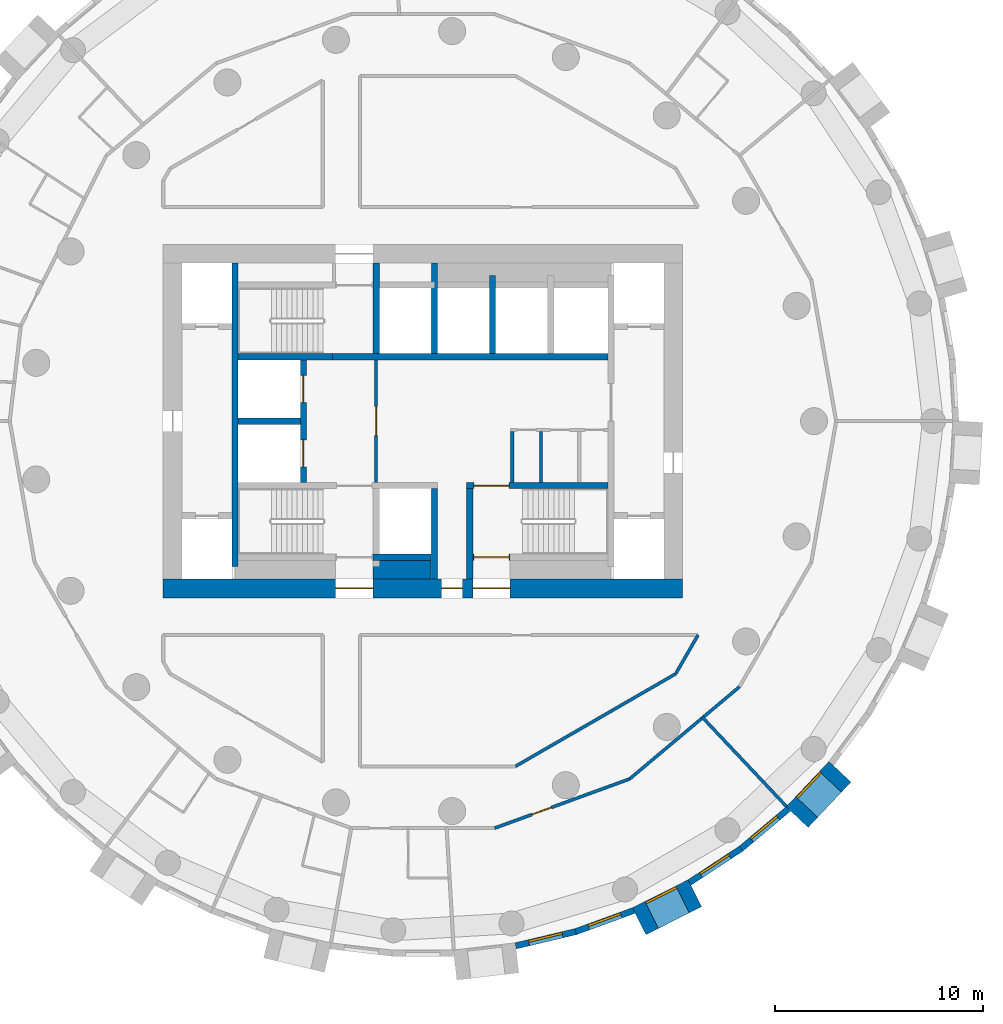
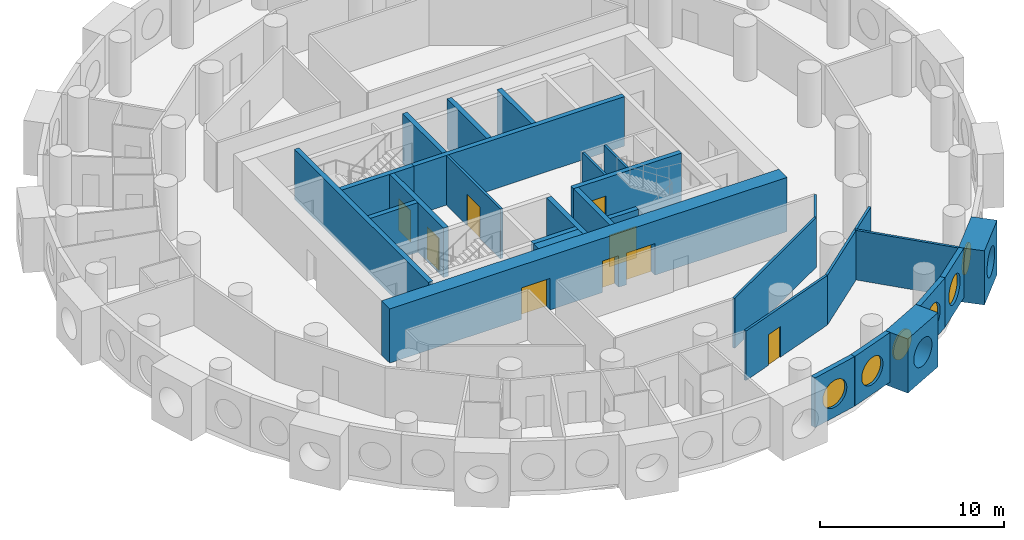
# One storey, part 4 of 9: 29 walls, 9 doors, 6 windows, 15 openings.
"""IFC4 building model written with IfcOpenShell, lengths in metres."""

from ifc_helpers import new_model, si_unit, direction, frame, frame_2d, origin, origin_2d, place, context, subcontext, project, spatial, rectangle, circle, extrude, material, layer, layer_set, type_object, element, fill, save


model = new_model("IFC4")

# Units and contexts
model_context = context("Model", 3, precision=1e-05, world=origin(), true_north=direction((0.0, 1.0)))
body_context = subcontext(model_context, "Body", "Model", "MODEL_VIEW")
ifc_project = project(units=[si_unit("LENGTHUNIT", "METRE"), si_unit("AREAUNIT", "SQUARE_METRE"), si_unit("VOLUMEUNIT", "CUBIC_METRE"), si_unit("PLANEANGLEUNIT", "RADIAN"), si_unit("MASSUNIT", "GRAM", prefix="KILO")], contexts=[model_context])

# Site, building, storey
site_placement = place(None, origin())
site = spatial("IfcSite", under=ifc_project, at=site_placement, CompositionType="ELEMENT")
building_placement = place(site_placement, origin())
building = spatial("IfcBuilding", under=site, at=building_placement, Name="Tracery Tower", CompositionType="ELEMENT")
storey_placement = place(building_placement, frame((0.0, 0.0, 183.60009765625)))
storey = spatial("IfcBuildingStorey", under=building, at=storey_placement, Name="L47", CompositionType="ELEMENT", Elevation=183.60009765625)

# Wall, opening, door
ifc_material_1 = material(Name="Plasterboard on steel studs", Category="steel")
ifc_layer_1 = layer(ifc_material_1, 0.14990234375)
ifc_layer_set_1 = layer_set([ifc_layer_1], Name="Core lobby partition 150")
wall_type_1 = type_object("IfcWallType", Name="Core lobby partition 150", PredefinedType="SOLIDWALL", material=ifc_layer_set_1)
wall_1_placement = place(storey_placement, frame((-2.25, -2.949951171875, 0.0), z_axis=(0.0, 0.0, 1.0), x_axis=(0.0, 1.0, 0.0)))
wall_1 = element("IfcWall", 1, at=wall_1_placement, inside=storey, type_object=wall_type_1, Name="L47 FF lobby E", PredefinedType="SOLIDWALL", context=body_context, shape_type="SweptSolid", body=[
    extrude(rectangle(XDim=5.89990234375, YDim=0.14990234375, at=frame_2d((2.949951171875, 0.0))), origin(), (0.0, 0.0, 1.0), 3.2998046875),
])
opening_1_placement = place(wall_1_placement, frame((2.25, 0.0, 0.0)))
opening_1 = element("IfcOpeningElement", 2, at=opening_1_placement, cuts=wall_1, Name="Opening KD8", PredefinedType="OPENING", context=body_context, shape_type="SweptSolid", body=[
    extrude(rectangle(XDim=1.39990234375, YDim=2.10009765625, at=frame_2d((0.699951171875, 1.050048828125))), frame((0.0, 0.074951171875, 0.0), z_axis=(0.0, -1.0, 0.0), x_axis=(1.0, 0.0, 0.0)), (0.0, 0.0, 1.0), 0.14990234375),
])
ifc_material_2 = material(Name="Steel fire door", Category="steel")
door_type_1 = type_object("IfcDoorType", Name="Core lobby door 1400 double", OperationType="NOTDEFINED", PredefinedType="DOOR", material=ifc_material_2)
door_1_placement = place(opening_1_placement, origin())
door_1 = element("IfcDoor", 3, at=door_1_placement, inside=storey, type_object=door_type_1, Name="Fire-fighting lobby door", OperationType="DOUBLE_DOOR_SINGLE_SWING", OverallHeight=2.10009765625, OverallWidth=1.39990234375, PredefinedType="DOOR", context=body_context, shape_type="SweptSolid", body=[
    extrude(rectangle(XDim=1.39990234375, YDim=2.10009765625, at=frame_2d((0.699951171875, 1.050048828125))), frame((0.0, 0.02490234375, 0.0), z_axis=(0.0, -1.0, 0.0), x_axis=(1.0, 0.0, 0.0)), (0.0, 0.0, 1.0), 0.050048828125),
])
fill(opening_1, door_1)

# Walls
ifc_material_3 = material(Name="Plasterboard on steel studs", Category="steel")
ifc_layer_2 = layer(ifc_material_3, 0.14990234375)
ifc_layer_set_2 = layer_set([ifc_layer_2], Name="Core room partition 150")
wall_type_2 = type_object("IfcWallType", Name="Core room partition 150", PredefinedType="SOLIDWALL", material=ifc_layer_set_2)
for number, where, z_axis, x_axis, name in (
    (4, (4.300048828125, -2.949951171875, 0.0), (0.0, 0.0, 1.0), (0.0, 1.0, 0.0), "L47 slot W"),
    (5, (5.675048828125, -2.949951171875, 0.0), (0.0, 0.0, 1.0), (0.0, 1.0, 0.0), "L47 slot sep 1"),
):
    element("IfcWall", number, at=place(storey_placement, frame(where, z_axis=z_axis, x_axis=x_axis)), inside=storey, type_object=wall_type_2, Name=name, PredefinedType="SOLIDWALL", context=body_context, shape_type="SweptSolid", body=[
        extrude(rectangle(XDim=2.449951171875, YDim=0.14990234375, at=frame_2d((1.22509765625, 0.0))), origin(), (0.0, 0.0, 1.0), 3.2998046875),
    ])
ifc_material_4 = material(Name="Concrete C50/60", Category="concrete")
ifc_layer_3 = layer(ifc_material_4, 0.89990234375)
ifc_layer_set_3 = layer_set([ifc_layer_3], Name="Core strip wall 900 C50")
wall_type_3 = type_object("IfcWallType", Name="Core strip wall 900 C50", PredefinedType="SOLIDWALL", material=ifc_layer_set_3)
wall_2_placement = place(storey_placement, frame((-2.39990234375, -7.14990234375, 0.0), z_axis=(0.0, 0.0, 1.0), x_axis=(1.0, 0.0, 0.0)))
element("IfcWall", 6, at=wall_2_placement, inside=storey, type_object=wall_type_3, Name="L47 F thick S mid", PredefinedType="SOLIDWALL", context=body_context, shape_type="SweptSolid", body=[
    extrude(rectangle(XDim=2.7998046875, YDim=0.89990234375, at=frame_2d((1.39990234375, 0.0))), origin(), (0.0, 0.0, 1.0), 3.2998046875),
])

# Wall, openings, doors
ifc_material_5 = material(Name="Concrete C50/60", Category="concrete")
ifc_layer_4 = layer(ifc_material_5, 0.89990234375)
ifc_layer_set_4 = layer_set([ifc_layer_4], Name="Core wall 900 C50")
wall_type_4 = type_object("IfcWallType", Name="Core wall 900 C50", PredefinedType="SOLIDWALL", material=ifc_layer_set_4)
wall_3_placement = place(storey_placement, frame((-12.5, -8.050048828125, 0.0), z_axis=(0.0, 0.0, 1.0), x_axis=(1.0, 0.0, 0.0)))
wall_3 = element("IfcWall", 7, at=wall_3_placement, inside=storey, type_object=wall_type_4, Name="L47 outer S", PredefinedType="SOLIDWALL", context=body_context, shape_type="SweptSolid", body=[
    extrude(rectangle(XDim=25.0, YDim=0.89990234375, at=frame_2d((12.5, 0.0))), origin(), (0.0, 0.0, 1.0), 3.599853515625),
])
opening_2_placement = place(wall_3_placement, frame((13.39990234375, 0.0, 0.0)))
opening_2 = element("IfcOpeningElement", 8, at=opening_2_placement, cuts=wall_3, Name="Opening KD16", PredefinedType="OPENING", context=body_context, shape_type="SweptSolid", body=[
    extrude(rectangle(XDim=1.0, YDim=2.10009765625, at=frame_2d((0.5, 1.050048828125))), frame((0.0, 0.449951171875, 0.0), z_axis=(0.0, -1.0, 0.0), x_axis=(1.0, 0.0, 0.0)), (0.0, 0.0, 1.0), 0.89990234375),
])
opening_3_placement = place(wall_3_placement, frame((8.300048828125, 0.0, 0.0)))
opening_3 = element("IfcOpeningElement", 9, at=opening_3_placement, cuts=wall_3, Name="Opening KD13", PredefinedType="OPENING", context=body_context, shape_type="SweptSolid", body=[
    extrude(rectangle(XDim=1.800048828125, YDim=2.10009765625, at=frame_2d((0.89990234375, 1.050048828125))), frame((0.0, 0.449951171875, 0.0), z_axis=(0.0, -1.0, 0.0), x_axis=(1.0, 0.0, 0.0)), (0.0, 0.0, 1.0), 0.89990234375),
])
opening_4_placement = place(wall_3_placement, frame((14.89990234375, 0.0, 0.0)))
opening_4 = element("IfcOpeningElement", 10, at=opening_4_placement, cuts=wall_3, Name="Opening KD13", PredefinedType="OPENING", context=body_context, shape_type="SweptSolid", body=[
    extrude(rectangle(XDim=1.800048828125, YDim=2.10009765625, at=frame_2d((0.89990234375, 1.050048828125))), frame((0.0, 0.449951171875, 0.0), z_axis=(0.0, -1.0, 0.0), x_axis=(1.0, 0.0, 0.0)), (0.0, 0.0, 1.0), 0.89990234375),
])
ifc_material_6 = material(Name="Steel fire door", Category="steel")
door_type_2 = type_object("IfcDoorType", Name="Core exit door 1000", OperationType="NOTDEFINED", PredefinedType="DOOR", material=ifc_material_6)
door_2_placement = place(opening_2_placement, origin())
door_2 = element("IfcDoor", 11, at=door_2_placement, inside=storey, type_object=door_type_2, Name="Core exit door", OperationType="SINGLE_SWING_LEFT", OverallHeight=2.10009765625, OverallWidth=1.0, PredefinedType="DOOR", context=body_context, shape_type="SweptSolid", body=[
    extrude(rectangle(XDim=1.0, YDim=2.10009765625, at=frame_2d((0.5, 1.050048828125))), frame((0.0, 0.02490234375, 0.0), z_axis=(0.0, -1.0, 0.0), x_axis=(1.0, 0.0, 0.0)), (0.0, 0.0, 1.0), 0.050048828125),
])
fill(opening_2, door_2)
ifc_material_7 = material(Name="Steel fire door", Category="steel")
door_type_3 = type_object("IfcDoorType", Name="Core exit door 1800 double", OperationType="NOTDEFINED", PredefinedType="DOOR", material=ifc_material_7)
door_3_placement = place(opening_3_placement, origin())
door_3 = element("IfcDoor", 12, at=door_3_placement, inside=storey, type_object=door_type_3, Name="Core exit door", OperationType="DOUBLE_DOOR_SINGLE_SWING", OverallHeight=2.10009765625, OverallWidth=1.800048828125, PredefinedType="DOOR", context=body_context, shape_type="SweptSolid", body=[
    extrude(rectangle(XDim=1.800048828125, YDim=2.10009765625, at=frame_2d((0.89990234375, 1.050048828125))), frame((0.0, 0.02490234375, 0.0), z_axis=(0.0, -1.0, 0.0), x_axis=(1.0, 0.0, 0.0)), (0.0, 0.0, 1.0), 0.050048828125),
])
fill(opening_3, door_3)
door_4_placement = place(opening_4_placement, origin())
door_4 = element("IfcDoor", 13, at=door_4_placement, inside=storey, type_object=door_type_3, Name="Core exit door", OperationType="DOUBLE_DOOR_SINGLE_SWING", OverallHeight=2.10009765625, OverallWidth=1.800048828125, PredefinedType="DOOR", context=body_context, shape_type="SweptSolid", body=[
    extrude(rectangle(XDim=1.800048828125, YDim=2.10009765625, at=frame_2d((0.89990234375, 1.050048828125))), frame((0.0, 0.02490234375, 0.0), z_axis=(0.0, -1.0, 0.0), x_axis=(1.0, 0.0, 0.0)), (0.0, 0.0, 1.0), 0.050048828125),
])
fill(opening_4, door_4)

# Wall, opening, window
ifc_material_8 = material(Name="Precast concrete C50/60", Category="concrete")
ifc_layer_5 = layer(ifc_material_8, 1.449951171875)
ifc_layer_set_5 = layer_set([ifc_layer_5], Name="Deep-set bay unit 3000 x 3600, slab edge 300")
wall_type_5 = type_object("IfcWallType", Name="Deep-set bay unit 3000 x 3600, slab edge 300", PredefinedType="ELEMENTEDWALL", material=ifc_layer_set_5)
wall_4_placement = place(storey_placement, frame((10.40869140625, -24.067626953125, -0.300048828125), z_axis=(0.0, 0.0, 1.0), x_axis=(0.893628249713, 0.448807922518, 0.0)))
wall_4 = element("IfcWall", 14, at=wall_4_placement, inside=storey, type_object=wall_type_5, Name="Deep-set bay unit 45 at L47", PredefinedType="ELEMENTEDWALL", context=body_context, shape_type="SweptSolid", body=[
    extrude(rectangle(XDim=3.0, YDim=1.449951171875, at=frame_2d((1.5, 0.0))), origin(), (0.0, 0.0, 1.0), 3.599853515625),
])
opening_5_placement = place(wall_4_placement, frame((1.5, 0.0, 1.85009765625)))
opening_5 = element("IfcOpeningElement", 15, at=opening_5_placement, cuts=wall_4, Name="Opening WN1", PredefinedType="OPENING", context=body_context, shape_type="SweptSolid", body=[
    extrude(circle(Radius=0.9000244140625, at=origin_2d()), frame((0.0, 0.73486328125, 0.0), z_axis=(0.0, -1.0, 0.0), x_axis=(1.0, 0.0, 0.0)), (0.0, 0.0, 1.0), 1.469970703125),
])
ifc_material_9 = material(Name="Aluminium frame with tinted double glazing", Category="aluminium")
window_type = type_object("IfcWindowType", Name="Round window 1800", PartitioningType="SINGLE_PANEL", PredefinedType="WINDOW", material=ifc_material_9)
window_1_placement = place(opening_5_placement, origin())
window_1 = element("IfcWindow", 16, at=window_1_placement, inside=storey, type_object=window_type, Name="Round window 45 at L47", OverallHeight=1.800048828125, OverallWidth=1.800048828125, PartitioningType="SINGLE_PANEL", PredefinedType="WINDOW", context=body_context, shape_type="SweptSolid", body=[
    extrude(circle(Radius=0.9000244140625, at=origin_2d()), frame((0.0, 0.69482421875, 0.0), z_axis=(0.0, -1.0, 0.0), x_axis=(1.0, 0.0, 0.0)), (0.0, 0.0, 1.0), 0.10009765625),
])
fill(opening_5, window_1)

wall_5_placement = place(storey_placement, frame((18.0126953125, -19.05615234375, -0.300048828125), z_axis=(0.0, 0.0, 1.0), x_axis=(0.686217177108, 0.727396718334, 0.0)))
wall_5 = element("IfcWall", 17, at=wall_5_placement, inside=storey, type_object=wall_type_5, Name="Deep-set bay unit 48 at L47", PredefinedType="ELEMENTEDWALL", context=body_context, shape_type="SweptSolid", body=[
    extrude(rectangle(XDim=3.0, YDim=1.449951171875, at=frame_2d((1.5, 0.0))), origin(), (0.0, 0.0, 1.0), 3.599853515625),
])
opening_6_placement = place(wall_5_placement, frame((1.5, 0.0, 1.85009765625)))
opening_6 = element("IfcOpeningElement", 18, at=opening_6_placement, cuts=wall_5, Name="Opening WN1", PredefinedType="OPENING", context=body_context, shape_type="SweptSolid", body=[
    extrude(circle(Radius=0.9000244140625, at=origin_2d()), frame((0.0, 0.73486328125, 0.0), z_axis=(0.0, -1.0, 0.0), x_axis=(1.0, 0.0, 0.0)), (0.0, 0.0, 1.0), 1.469970703125),
])
window_2_placement = place(opening_6_placement, origin())
window_2 = element("IfcWindow", 19, at=window_2_placement, inside=storey, type_object=window_type, Name="Round window 48 at L47", OverallHeight=1.800048828125, OverallWidth=1.800048828125, PartitioningType="SINGLE_PANEL", PredefinedType="WINDOW", context=body_context, shape_type="SweptSolid", body=[
    extrude(circle(Radius=0.9000244140625, at=origin_2d()), frame((0.0, 0.69482421875, 0.0), z_axis=(0.0, -1.0, 0.0), x_axis=(1.0, 0.0, 0.0)), (0.0, 0.0, 1.0), 0.10009765625),
])
fill(opening_6, window_2)

ifc_material_10 = material(Name="Precast concrete C50/60", Category="concrete")
ifc_layer_6 = layer(ifc_material_10, 0.300048828125)
ifc_layer_set_6 = layer_set([ifc_layer_6], Name="Facade panel 3000 x 3300")
wall_type_6 = type_object("IfcWallType", Name="Facade panel 3000 x 3300", PredefinedType="SOLIDWALL", material=ifc_layer_set_6)
wall_6_placement = place(storey_placement, frame((4.463134765625, -25.255615234375, 0.0), z_axis=(0.0, 0.0, 1.0), x_axis=(0.973045378923, 0.230613725862, 0.0)))
wall_6 = element("IfcWall", 20, at=wall_6_placement, inside=storey, type_object=wall_type_6, Name="Facade panel 43 at L47", PredefinedType="SOLIDWALL", context=body_context, shape_type="SweptSolid", body=[
    extrude(rectangle(XDim=2.97265625, YDim=0.300048828125, at=frame_2d((1.486328125, 0.0))), origin(), (0.0, 0.0, 1.0), 3.2998046875),
])
opening_7_placement = place(wall_6_placement, frame((1.486328125, 0.0, 1.5498046875)))
opening_7 = element("IfcOpeningElement", 21, at=opening_7_placement, cuts=wall_6, Name="Opening WN1", PredefinedType="OPENING", context=body_context, shape_type="SweptSolid", body=[
    extrude(circle(Radius=0.9000244140625, at=origin_2d()), frame((0.0, 0.159912109375, 0.0), z_axis=(0.0, -1.0, 0.0), x_axis=(1.0, 0.0, 0.0)), (0.0, 0.0, 1.0), 0.320068359375),
])
window_3_placement = place(opening_7_placement, origin())
window_3 = element("IfcWindow", 22, at=window_3_placement, inside=storey, type_object=window_type, Name="Round window 43 at L47", OverallHeight=1.800048828125, OverallWidth=1.800048828125, PartitioningType="SINGLE_PANEL", PredefinedType="WINDOW", context=body_context, shape_type="SweptSolid", body=[
    extrude(circle(Radius=0.9000244140625, at=origin_2d()), frame((0.0, 0.1201171875, 0.0), z_axis=(0.0, -1.0, 0.0), x_axis=(1.0, 0.0, 0.0)), (0.0, 0.0, 1.0), 0.10009765625),
])
fill(opening_7, window_3)

wall_7_placement = place(storey_placement, frame((7.355712890625, -24.570068359375, 0.0), z_axis=(0.0, 0.0, 1.0), x_axis=(0.939690282133, 0.342026568652, 0.0)))
wall_7 = element("IfcWall", 23, at=wall_7_placement, inside=storey, type_object=wall_type_6, Name="Facade panel 44 at L47", PredefinedType="SOLIDWALL", context=body_context, shape_type="SweptSolid", body=[
    extrude(rectangle(XDim=2.972900390625, YDim=0.300048828125, at=frame_2d((1.486328125, 0.0))), origin(), (0.0, 0.0, 1.0), 3.2998046875),
])
opening_8_placement = place(wall_7_placement, frame((1.486328125, 0.0, 1.5498046875)))
opening_8 = element("IfcOpeningElement", 24, at=opening_8_placement, cuts=wall_7, Name="Opening WN1", PredefinedType="OPENING", context=body_context, shape_type="SweptSolid", body=[
    extrude(circle(Radius=0.9000244140625, at=origin_2d()), frame((0.0, 0.159912109375, 0.0), z_axis=(0.0, -1.0, 0.0), x_axis=(1.0, 0.0, 0.0)), (0.0, 0.0, 1.0), 0.320068359375),
])
window_4_placement = place(opening_8_placement, origin())
window_4 = element("IfcWindow", 25, at=window_4_placement, inside=storey, type_object=window_type, Name="Round window 44 at L47", OverallHeight=1.800048828125, OverallWidth=1.800048828125, PartitioningType="SINGLE_PANEL", PredefinedType="WINDOW", context=body_context, shape_type="SweptSolid", body=[
    extrude(circle(Radius=0.9000244140625, at=origin_2d()), frame((0.0, 0.1201171875, 0.0), z_axis=(0.0, -1.0, 0.0), x_axis=(1.0, 0.0, 0.0)), (0.0, 0.0, 1.0), 0.10009765625),
])
fill(opening_8, window_4)

wall_8_placement = place(storey_placement, frame((12.831787109375, -22.2060546875, 0.0), z_axis=(0.0, 0.0, 1.0), x_axis=(0.835508361394, 0.54947773207, 0.0)))
wall_8 = element("IfcWall", 26, at=wall_8_placement, inside=storey, type_object=wall_type_6, Name="Facade panel 46 at L47", PredefinedType="SOLIDWALL", context=body_context, shape_type="SweptSolid", body=[
    extrude(rectangle(XDim=2.972900390625, YDim=0.300048828125, at=frame_2d((1.486328125, 0.0))), origin(), (0.0, 0.0, 1.0), 3.2998046875),
])
opening_9_placement = place(wall_8_placement, frame((1.486328125, 0.0, 1.5498046875)))
opening_9 = element("IfcOpeningElement", 27, at=opening_9_placement, cuts=wall_8, Name="Opening WN1", PredefinedType="OPENING", context=body_context, shape_type="SweptSolid", body=[
    extrude(circle(Radius=0.9000244140625, at=origin_2d()), frame((0.0, 0.159912109375, 0.0), z_axis=(0.0, -1.0, 0.0), x_axis=(1.0, 0.0, 0.0)), (0.0, 0.0, 1.0), 0.320068359375),
])
window_5_placement = place(opening_9_placement, origin())
window_5 = element("IfcWindow", 28, at=window_5_placement, inside=storey, type_object=window_type, Name="Round window 46 at L47", OverallHeight=1.800048828125, OverallWidth=1.800048828125, PartitioningType="SINGLE_PANEL", PredefinedType="WINDOW", context=body_context, shape_type="SweptSolid", body=[
    extrude(circle(Radius=0.9000244140625, at=origin_2d()), frame((0.0, 0.1201171875, 0.0), z_axis=(0.0, -1.0, 0.0), x_axis=(1.0, 0.0, 0.0)), (0.0, 0.0, 1.0), 0.10009765625),
])
fill(opening_9, window_5)

wall_9_placement = place(storey_placement, frame((15.315673828125, -20.572509765625, 0.0), z_axis=(0.0, 0.0, 1.0), x_axis=(0.766008913364, 0.642829950023, 0.0)))
wall_9 = element("IfcWall", 29, at=wall_9_placement, inside=storey, type_object=wall_type_6, Name="Facade panel 47 at L47", PredefinedType="SOLIDWALL", context=body_context, shape_type="SweptSolid", body=[
    extrude(rectangle(XDim=2.972900390625, YDim=0.300048828125, at=frame_2d((1.486328125, 0.0))), origin(), (0.0, 0.0, 1.0), 3.2998046875),
])
opening_10_placement = place(wall_9_placement, frame((1.486328125, 0.0, 1.5498046875)))
opening_10 = element("IfcOpeningElement", 30, at=opening_10_placement, cuts=wall_9, Name="Opening WN1", PredefinedType="OPENING", context=body_context, shape_type="SweptSolid", body=[
    extrude(circle(Radius=0.9000244140625, at=origin_2d()), frame((0.0, 0.159912109375, 0.0), z_axis=(0.0, -1.0, 0.0), x_axis=(1.0, 0.0, 0.0)), (0.0, 0.0, 1.0), 0.320068359375),
])
window_6_placement = place(opening_10_placement, origin())
window_6 = element("IfcWindow", 31, at=window_6_placement, inside=storey, type_object=window_type, Name="Round window 47 at L47", OverallHeight=1.800048828125, OverallWidth=1.800048828125, PartitioningType="SINGLE_PANEL", PredefinedType="WINDOW", context=body_context, shape_type="SweptSolid", body=[
    extrude(circle(Radius=0.9000244140625, at=origin_2d()), frame((0.0, 0.1201171875, 0.0), z_axis=(0.0, -1.0, 0.0), x_axis=(1.0, 0.0, 0.0)), (0.0, 0.0, 1.0), 0.10009765625),
])
fill(opening_10, window_6)

# Walls
ifc_material_11 = material(Name="Plasterboard on steel studs", Category="steel")
ifc_layer_7 = layer(ifc_material_11, 0.14990234375)
ifc_layer_set_7 = layer_set([ifc_layer_7], Name="Partition 150 acoustic unit wall")
wall_type_7 = type_object("IfcWallType", Name="Partition 150 acoustic unit wall", PredefinedType="PARTITIONING", material=ifc_layer_set_7)
wall_10_placement = place(storey_placement, frame((13.462890625, -14.27001953125, 0.0), z_axis=(0.0, 0.0, 1.0), x_axis=(0.6862502776, -0.72736549031, 0.0)))
element("IfcWall", 32, at=wall_10_placement, inside=storey, type_object=wall_type_7, Name="Unit wall RB6-067", PredefinedType="PARTITIONING", context=body_context, shape_type="SweptSolid", body=[
    extrude(rectangle(XDim=5.878662109375, YDim=0.14990234375, at=frame_2d((2.939453125, 0.0))), origin(), (0.0, 0.0, 1.0), 3.2998046875),
])
ifc_material_12 = material(Name="Plasterboard on steel studs", Category="steel")
ifc_layer_8 = layer(ifc_material_12, 0.14990234375)
ifc_layer_set_8 = layer_set([ifc_layer_8], Name="Partition 150 corridor wall")
wall_type_8 = type_object("IfcWallType", Name="Partition 150 corridor wall", PredefinedType="PARTITIONING", material=ifc_layer_set_8)
wall_11_placement = place(storey_placement, frame((12.162109375, -12.162109375, 0.0), z_axis=(0.0, 0.0, 1.0), x_axis=(0.499961633463, 0.866047553582, 0.0)))
element("IfcWall", 33, at=wall_11_placement, inside=storey, type_object=wall_type_8, Name="Corridor wall RB6-006", PredefinedType="PARTITIONING", context=body_context, shape_type="SweptSolid", body=[
    extrude(rectangle(XDim=2.150146484375, YDim=0.14990234375, at=frame_2d((1.0751953125, 0.0))), origin(), (0.0, 0.0, 1.0), 3.2998046875),
])
wall_12_placement = place(storey_placement, frame((9.943359375, -17.22216796875, 0.0), z_axis=(0.0, 0.0, 1.0), x_axis=(0.766192104565, 0.642611592567, 0.0)))
element("IfcWall", 34, at=wall_12_placement, inside=storey, type_object=wall_type_8, Name="Corridor wall RB6-012", PredefinedType="PARTITIONING", context=body_context, shape_type="SweptSolid", body=[
    extrude(rectangle(XDim=6.906494140625, YDim=0.14990234375, at=frame_2d((3.453125, 0.0))), origin(), (0.0, 0.0, 1.0), 3.2998046875),
])
wall_13_placement = place(storey_placement, frame((4.451904296875, -16.614013671875, 0.0), z_axis=(0.0, 0.0, 1.0), x_axis=(0.866005203721, 0.500034985904, 0.0)))
element("IfcWall", 35, at=wall_13_placement, inside=storey, type_object=wall_type_8, Name="Corridor wall RB6-035", PredefinedType="PARTITIONING", context=body_context, shape_type="SweptSolid", body=[
    extrude(rectangle(XDim=8.903076171875, YDim=0.14990234375, at=frame_2d((4.45166015625, 0.0))), origin(), (0.0, 0.0, 1.0), 3.2998046875),
])

# Wall, opening, door
wall_14_placement = place(storey_placement, frame((3.452880859375, -19.5859375, 0.0), z_axis=(0.0, 0.0, 1.0), x_axis=(0.939672634566, 0.342075050021, 0.0)))
wall_14 = element("IfcWall", 36, at=wall_14_placement, inside=storey, type_object=wall_type_8, Name="Corridor wall RB6-038", PredefinedType="PARTITIONING", context=body_context, shape_type="SweptSolid", body=[
    extrude(rectangle(XDim=6.907958984375, YDim=0.14990234375, at=frame_2d((3.4541015625, 0.0))), origin(), (0.0, 0.0, 1.0), 3.2998046875),
])
opening_11_placement = place(wall_14_placement, frame((1.90380859375, 0.0, 0.0)))
opening_11 = element("IfcOpeningElement", 37, at=opening_11_placement, cuts=wall_14, Name="Opening RB6-24", PredefinedType="OPENING", context=body_context, shape_type="SweptSolid", body=[
    extrude(rectangle(XDim=1.0, YDim=2.0400390625, at=frame_2d((0.5, 1.02001953125))), frame((0.0, 0.074951171875, 0.0), z_axis=(0.0, -1.0, 0.0), x_axis=(1.0, 0.0, 0.0)), (0.0, 0.0, 1.0), 0.14990234375),
])
ifc_material_13 = material(Name="Timber door leaf", Category="wood")
door_type_4 = type_object("IfcDoorType", Name="Door communal room 1000", OperationType="NOTDEFINED", PredefinedType="DOOR", material=ifc_material_13)
door_5_placement = place(opening_11_placement, origin())
door_5 = element("IfcDoor", 38, at=door_5_placement, inside=storey, type_object=door_type_4, Name="Communal room door RB6-24", OperationType="SINGLE_SWING_RIGHT", OverallHeight=2.0400390625, OverallWidth=1.0, PredefinedType="DOOR", context=body_context, shape_type="SweptSolid", body=[
    extrude(rectangle(XDim=1.0, YDim=2.0400390625, at=frame_2d((0.5, 1.02001953125))), frame((0.0, 0.02490234375, 0.0), z_axis=(0.0, -1.0, 0.0), x_axis=(1.0, 0.0, 0.0)), (0.0, 0.0, 1.0), 0.050048828125),
])
fill(opening_11, door_5)

# Wall
ifc_material_14 = material(Name="Concrete C50/60", Category="concrete")
ifc_layer_9 = layer(ifc_material_14, 0.300048828125)
ifc_layer_set_9 = layer_set([ifc_layer_9], Name="Shaft wall 300 C50")
wall_type_9 = type_object("IfcWallType", Name="Shaft wall 300 C50", PredefinedType="SOLIDWALL", material=ifc_layer_set_9)
wall_15_placement = place(storey_placement, frame((-8.89990234375, 0.0, 0.0), z_axis=(0.0, 0.0, 1.0), x_axis=(1.0, 0.0, 0.0)))
element("IfcWall", 39, at=wall_15_placement, inside=storey, type_object=wall_type_9, Name="L47 FF split", PredefinedType="SOLIDWALL", context=body_context, shape_type="SweptSolid", body=[
    extrude(rectangle(XDim=3.0, YDim=0.300048828125, at=frame_2d((1.5, 0.0))), origin(), (0.0, 0.0, 1.0), 3.2998046875),
])

# Wall, openings, doors
wall_16_placement = place(storey_placement, frame((-5.75, -2.949951171875, 0.0), z_axis=(0.0, 0.0, 1.0), x_axis=(0.0, 1.0, 0.0)))
wall_16 = element("IfcWall", 40, at=wall_16_placement, inside=storey, type_object=wall_type_9, Name="L47 FF doors", PredefinedType="SOLIDWALL", context=body_context, shape_type="SweptSolid", body=[
    extrude(rectangle(XDim=5.89990234375, YDim=0.300048828125, at=frame_2d((2.949951171875, 0.0))), origin(), (0.0, 0.0, 1.0), 3.2998046875),
])
opening_12_placement = place(wall_16_placement, frame((0.75, 0.0, 0.0)))
opening_12 = element("IfcOpeningElement", 41, at=opening_12_placement, cuts=wall_16, Name="Opening KD54", PredefinedType="OPENING", context=body_context, shape_type="SweptSolid", body=[
    extrude(rectangle(XDim=1.300048828125, YDim=2.10009765625, at=frame_2d((0.64990234375, 1.050048828125))), frame((0.0, 0.14990234375, 0.0), z_axis=(0.0, -1.0, 0.0), x_axis=(1.0, 0.0, 0.0)), (0.0, 0.0, 1.0), 0.300048828125),
])
opening_13_placement = place(wall_16_placement, frame((3.85009765625, 0.0, 0.0)))
opening_13 = element("IfcOpeningElement", 42, at=opening_13_placement, cuts=wall_16, Name="Opening KD55", PredefinedType="OPENING", context=body_context, shape_type="SweptSolid", body=[
    extrude(rectangle(XDim=1.300048828125, YDim=2.10009765625, at=frame_2d((0.64990234375, 1.050048828125))), frame((0.0, 0.14990234375, 0.0), z_axis=(0.0, -1.0, 0.0), x_axis=(1.0, 0.0, 0.0)), (0.0, 0.0, 1.0), 0.300048828125),
])
ifc_material_15 = material(Name="Steel fire door", Category="steel")
door_type_5 = type_object("IfcDoorType", Name="Landing door FF 1300", OperationType="NOTDEFINED", PredefinedType="DOOR", material=ifc_material_15)
door_6_placement = place(opening_12_placement, origin())
door_6 = element("IfcDoor", 43, at=door_6_placement, inside=storey, type_object=door_type_5, Name="Landing door FF1", OperationType="SLIDING_TO_LEFT", OverallHeight=2.10009765625, OverallWidth=1.300048828125, PredefinedType="DOOR", context=body_context, shape_type="SweptSolid", body=[
    extrude(rectangle(XDim=1.300048828125, YDim=2.10009765625, at=frame_2d((0.64990234375, 1.050048828125))), frame((0.0, 0.02490234375, 0.0), z_axis=(0.0, -1.0, 0.0), x_axis=(1.0, 0.0, 0.0)), (0.0, 0.0, 1.0), 0.050048828125),
])
fill(opening_12, door_6)
door_7_placement = place(opening_13_placement, origin())
door_7 = element("IfcDoor", 44, at=door_7_placement, inside=storey, type_object=door_type_5, Name="Landing door FF2", OperationType="SLIDING_TO_RIGHT", OverallHeight=2.10009765625, OverallWidth=1.300048828125, PredefinedType="DOOR", context=body_context, shape_type="SweptSolid", body=[
    extrude(rectangle(XDim=1.300048828125, YDim=2.10009765625, at=frame_2d((0.64990234375, 1.050048828125))), frame((0.0, 0.02490234375, 0.0), z_axis=(0.0, -1.0, 0.0), x_axis=(1.0, 0.0, 0.0)), (0.0, 0.0, 1.0), 0.050048828125),
])
fill(opening_13, door_7)

# Walls
for number, where, z_axis, x_axis, name in (
    (45, (0.550048828125, -7.60009765625, 0.0), (0.0, 0.0, 1.0), (0.0, 1.0, 0.0), "L47 OB2 E"),
    (46, (0.550048828125, 3.25, 0.0), (0.0, 0.0, 1.0), (0.0, 1.0, 0.0), "L47 HR sep 1"),
):
    element("IfcWall", number, at=place(storey_placement, frame(where, z_axis=z_axis, x_axis=x_axis)), inside=storey, type_object=wall_type_9, Name=name, PredefinedType="SOLIDWALL", context=body_context, shape_type="SweptSolid", body=[
        extrude(rectangle(XDim=4.35009765625, YDim=0.300048828125, at=frame_2d((2.175048828125, 0.0))), origin(), (0.0, 0.0, 1.0), 3.2998046875),
    ])
wall_17_placement = place(storey_placement, frame((3.35009765625, 3.25, 0.0), z_axis=(0.0, 0.0, 1.0), x_axis=(0.0, 1.0, 0.0)))
element("IfcWall", 47, at=wall_17_placement, inside=storey, type_object=wall_type_9, Name="L47 HR sep 2", PredefinedType="SOLIDWALL", context=body_context, shape_type="SweptSolid", body=[
    extrude(rectangle(XDim=3.75, YDim=0.300048828125, at=frame_2d((1.875, 0.0))), origin(), (0.0, 0.0, 1.0), 3.2998046875),
])

# Wall, opening, door
ifc_material_16 = material(Name="Concrete C50/60", Category="concrete")
ifc_layer_10 = layer(ifc_material_16, 0.300048828125)
ifc_layer_set_10 = layer_set([ifc_layer_10], Name="Stair wall 300 C50")
wall_type_10 = type_object("IfcWallType", Name="Stair wall 300 C50", PredefinedType="SOLIDWALL", material=ifc_layer_set_10)
wall_18_placement = place(storey_placement, frame((2.10009765625, -3.10009765625, 0.0), z_axis=(0.0, 0.0, 1.0), x_axis=(1.0, 0.0, 0.0)))
wall_18 = element("IfcWall", 48, at=wall_18_placement, inside=storey, type_object=wall_type_10, Name="L47 row S E", PredefinedType="SOLIDWALL", context=body_context, shape_type="SweptSolid", body=[
    extrude(rectangle(XDim=6.7998046875, YDim=0.300048828125, at=frame_2d((3.39990234375, 0.0))), origin(), (0.0, 0.0, 1.0), 3.2998046875),
])
opening_14_placement = place(wall_18_placement, frame((0.35009765625, 0.0, 0.0)))
opening_14 = element("IfcOpeningElement", 49, at=opening_14_placement, cuts=wall_18, Name="Opening KD3", PredefinedType="OPENING", context=body_context, shape_type="SweptSolid", body=[
    extrude(rectangle(XDim=1.699951171875, YDim=2.10009765625, at=frame_2d((0.85009765625, 1.050048828125))), frame((0.0, 0.14990234375, 0.0), z_axis=(0.0, -1.0, 0.0), x_axis=(1.0, 0.0, 0.0)), (0.0, 0.0, 1.0), 0.300048828125),
])
ifc_material_17 = material(Name="Steel fire door", Category="steel")
door_type_6 = type_object("IfcDoorType", Name="Core stair door 1700 double", OperationType="NOTDEFINED", PredefinedType="DOOR", material=ifc_material_17)
door_8_placement = place(opening_14_placement, origin())
door_8 = element("IfcDoor", 50, at=door_8_placement, inside=storey, type_object=door_type_6, Name="Stair door ST2", OperationType="DOUBLE_DOOR_SINGLE_SWING", OverallHeight=2.10009765625, OverallWidth=1.699951171875, PredefinedType="DOOR", context=body_context, shape_type="SweptSolid", body=[
    extrude(rectangle(XDim=1.699951171875, YDim=2.10009765625, at=frame_2d((0.85009765625, 1.050048828125))), frame((0.0, 0.02490234375, 0.0), z_axis=(0.0, -1.0, 0.0), x_axis=(1.0, 0.0, 0.0)), (0.0, 0.0, 1.0), 0.050048828125),
])
fill(opening_14, door_8)

# Walls
wall_19_placement = place(storey_placement, frame((-8.89990234375, 3.10009765625, 0.0), z_axis=(0.0, 0.0, 1.0), x_axis=(1.0, 0.0, 0.0)))
element("IfcWall", 51, at=wall_19_placement, inside=storey, type_object=wall_type_10, Name="L47 row N W", PredefinedType="SOLIDWALL", context=body_context, shape_type="SweptSolid", body=[
    extrude(rectangle(XDim=4.5498046875, YDim=0.300048828125, at=frame_2d((2.27490234375, 0.0))), origin(), (0.0, 0.0, 1.0), 3.2998046875),
])
wall_20_placement = place(storey_placement, frame((-4.35009765625, 3.10009765625, 0.0), z_axis=(0.0, 0.0, 1.0), x_axis=(1.0, 0.0, 0.0)))
element("IfcWall", 52, at=wall_20_placement, inside=storey, type_object=wall_type_10, Name="L47 row N", PredefinedType="SOLIDWALL", context=body_context, shape_type="SweptSolid", body=[
    extrude(rectangle(XDim=13.25, YDim=0.300048828125, at=frame_2d((6.625, 0.0))), origin(), (0.0, 0.0, 1.0), 3.2998046875),
])
for number, where, z_axis, x_axis, name in (
    (53, (-2.25, 3.25, 0.0), (0.0, 0.0, 1.0), (0.0, 1.0, 0.0), "L47 ST3 E"),
    (54, (2.25, -7.60009765625, 0.0), (0.0, 0.0, 1.0), (0.0, 1.0, 0.0), "L47 ST2 W"),
):
    element("IfcWall", number, at=place(storey_placement, frame(where, z_axis=z_axis, x_axis=x_axis)), inside=storey, type_object=wall_type_10, Name=name, PredefinedType="SOLIDWALL", context=body_context, shape_type="SweptSolid", body=[
        extrude(rectangle(XDim=4.35009765625, YDim=0.300048828125, at=frame_2d((2.175048828125, 0.0))), origin(), (0.0, 0.0, 1.0), 3.2998046875),
    ])
wall_21_placement = place(storey_placement, frame((-9.050048828125, -7.0, 0.0), z_axis=(0.0, 0.0, 1.0), x_axis=(0.0, 1.0, 0.0)))
element("IfcWall", 55, at=wall_21_placement, inside=storey, type_object=wall_type_10, Name="L47 F wall -9", PredefinedType="SOLIDWALL", context=body_context, shape_type="SweptSolid", body=[
    extrude(rectangle(XDim=14.60009765625, YDim=0.300048828125, at=frame_2d((7.300048828125, 0.0))), origin(), (0.0, 0.0, 1.0), 3.2998046875),
])
wall_22_placement = place(storey_placement, frame((-2.39990234375, -6.550048828125, 0.0), z_axis=(0.0, 0.0, 1.0), x_axis=(1.0, 0.0, 0.0)))
element("IfcWall", 56, at=wall_22_placement, inside=storey, type_object=wall_type_10, Name="L47 F stair strip S mid", PredefinedType="SOLIDWALL", context=body_context, shape_type="SweptSolid", body=[
    extrude(rectangle(XDim=2.7998046875, YDim=0.300048828125, at=frame_2d((1.39990234375, 0.0))), origin(), (0.0, 0.0, 1.0), 3.2998046875),
])

# Wall, opening, door
wall_23_placement = place(storey_placement, frame((2.39990234375, -6.550048828125, 0.0), z_axis=(0.0, 0.0, 1.0), x_axis=(1.0, 0.0, 0.0)))
wall_23 = element("IfcWall", 57, at=wall_23_placement, inside=storey, type_object=wall_type_10, Name="L47 F stair S E", PredefinedType="SOLIDWALL", context=body_context, shape_type="SweptSolid", body=[
    extrude(rectangle(XDim=1.800048828125, YDim=0.300048828125, at=frame_2d((0.89990234375, 0.0))), origin(), (0.0, 0.0, 1.0), 3.2998046875),
])
opening_15_placement = place(wall_23_placement, frame((0.050048828125, 0.0, 0.0)))
opening_15 = element("IfcOpeningElement", 58, at=opening_15_placement, cuts=wall_23, Name="Opening KD3", PredefinedType="OPENING", context=body_context, shape_type="SweptSolid", body=[
    extrude(rectangle(XDim=1.699951171875, YDim=2.10009765625, at=frame_2d((0.85009765625, 1.050048828125))), frame((0.0, 0.14990234375, 0.0), z_axis=(0.0, -1.0, 0.0), x_axis=(1.0, 0.0, 0.0)), (0.0, 0.0, 1.0), 0.300048828125),
])
door_9_placement = place(opening_15_placement, origin())
door_9 = element("IfcDoor", 59, at=door_9_placement, inside=storey, type_object=door_type_6, Name="Stair door vest", OperationType="DOUBLE_DOOR_SINGLE_SWING", OverallHeight=2.10009765625, OverallWidth=1.699951171875, PredefinedType="DOOR", context=body_context, shape_type="SweptSolid", body=[
    extrude(rectangle(XDim=1.699951171875, YDim=2.10009765625, at=frame_2d((0.85009765625, 1.050048828125))), frame((0.0, 0.02490234375, 0.0), z_axis=(0.0, -1.0, 0.0), x_axis=(1.0, 0.0, 0.0)), (0.0, 0.0, 1.0), 0.050048828125),
])
fill(opening_15, door_9)

save(model, "model.ifc")
